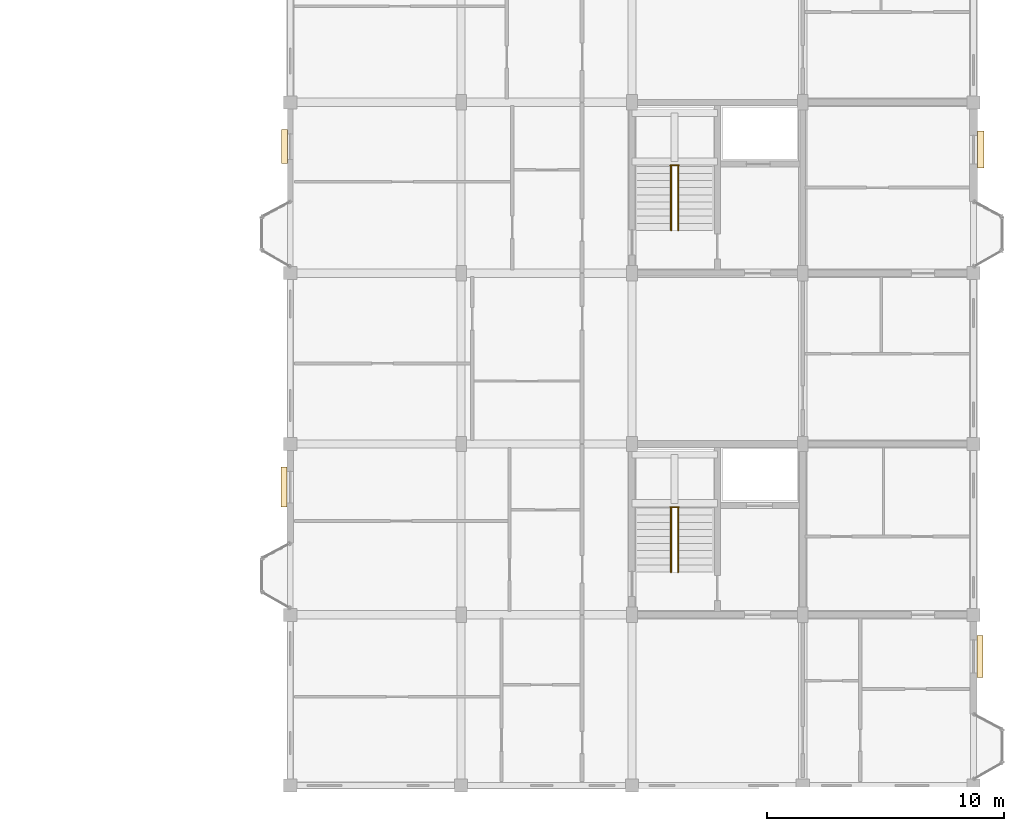
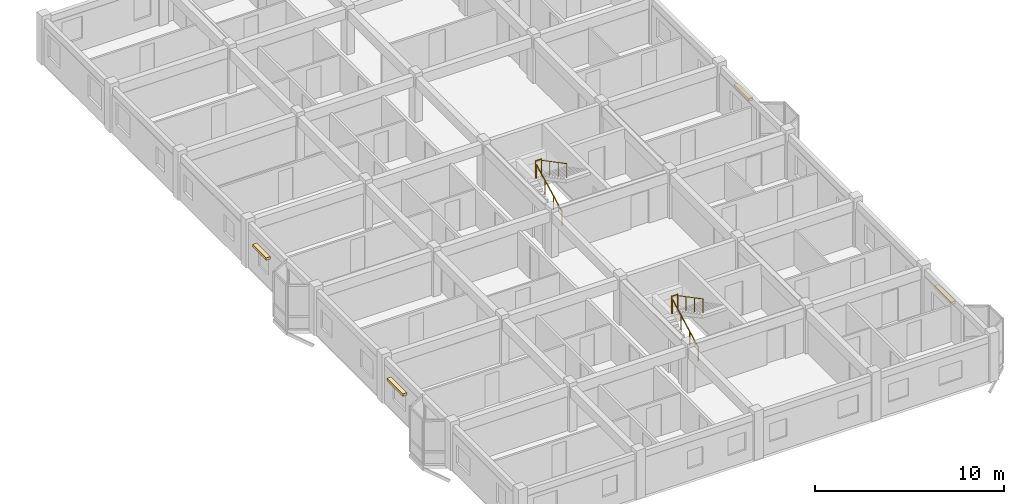
# One storey, part 76 of 77: 6 railings, 4 coverings.
"""IFC4 building model written with IfcOpenShell, lengths in metres."""

from ifc_helpers import new_model, si_unit, direction, frame, origin, origin_2d, place, context, subcontext, project, spatial, rectangle, circle, extrude, material, layer, layer_set, type_object, element, save


model = new_model("IFC4")

# Units and contexts
model_context = context("Model", 3, precision=1e-05, world=origin(), true_north=direction((0.0, 1.0)))
body_context = subcontext(model_context, "Body", "Model", "MODEL_VIEW")
ifc_project = project(units=[si_unit("LENGTHUNIT", "METRE"), si_unit("AREAUNIT", "SQUARE_METRE"), si_unit("VOLUMEUNIT", "CUBIC_METRE"), si_unit("PLANEANGLEUNIT", "RADIAN"), si_unit("MASSUNIT", "GRAM", prefix="KILO"), si_unit("THERMODYNAMICTEMPERATUREUNIT", "KELVIN"), si_unit("POWERUNIT", "WATT")], contexts=[model_context])

# Site, building, storey
site_placement = place(None, origin())
site = spatial("IfcSite", under=ifc_project, at=site_placement, CompositionType="ELEMENT")
building_placement = place(site_placement, origin())
building = spatial("IfcBuilding", under=site, at=building_placement, Name="Tavuni Mirador Residences", CompositionType="ELEMENT")
storey_placement = place(building_placement, frame((0.0, 0.0, 10.800048828125)))
storey = spatial("IfcBuildingStorey", under=building, at=storey_placement, Name="L03", CompositionType="ELEMENT", Elevation=10.800048828125)

# Coverings
ifc_material_1 = material(Name="Natural coral limestone", Category="masonry")
ifc_layer = layer(ifc_material_1, 0.054931640625, Name="Natural coral limestone", Category="masonry")
ifc_layer_set = layer_set([ifc_layer], Name="Natural coral limestone")
covering_type = type_object("IfcCoveringType", Name="CVT-CLAD-CORAL", PredefinedType="CLADDING", material=ifc_layer_set)
covering_1_placement = place(storey_placement, frame((119.072021484375, 91.847412109375, 1.9501953125), z_axis=(0.0, 0.0, 1.0), x_axis=(0.0, 1.0, 0.0)))
element("IfcCovering", 1, at=covering_1_placement, inside=storey, type_object=covering_type, Name="HOOD-0946", PredefinedType="CLADDING", context=body_context, shape_type="SweptSolid", body=[
    extrude(rectangle(XDim=1.760009765625, YDim=0.260009765625, at=origin_2d()), origin(), (0.0, 0.0, 1.0), 0.159912109375),
])
covering_2_placement = place(storey_placement, frame((119.099609375, 113.20751953125, 2.06005859375), z_axis=(0.0, 0.0, 1.0), x_axis=(0.0, 1.0, 0.0)))
element("IfcCovering", 2, at=covering_2_placement, inside=storey, type_object=covering_type, Name="HOOD-0947", PredefinedType="CLADDING", context=body_context, shape_type="SweptSolid", body=[
    extrude(rectangle(XDim=1.56005859375, YDim=0.260009765625, at=origin_2d()), origin(), (0.0, 0.0, 1.0), 0.159912109375),
])
covering_3_placement = place(storey_placement, frame((89.75048828125, 113.33251953125, 1.9501953125), z_axis=(0.0, 0.0, 1.0), x_axis=(0.0, -1.0, 0.0)))
element("IfcCovering", 3, at=covering_3_placement, inside=storey, type_object=covering_type, Name="HOOD-0948", PredefinedType="CLADDING", context=body_context, shape_type="SweptSolid", body=[
    extrude(rectangle(XDim=1.43994140625, YDim=0.260009765625, at=origin_2d()), origin(), (0.0, 0.0, 1.0), 0.159912109375),
])
covering_4_placement = place(storey_placement, frame((89.735595703125, 98.982421875, 1.9501953125), z_axis=(0.0, 0.0, 1.0), x_axis=(0.0, -1.0, 0.0)))
element("IfcCovering", 4, at=covering_4_placement, inside=storey, type_object=covering_type, Name="HOOD-0949", PredefinedType="CLADDING", context=body_context, shape_type="SweptSolid", body=[
    extrude(rectangle(XDim=1.679931640625, YDim=0.260009765625, at=origin_2d()), origin(), (0.0, 0.0, 1.0), 0.159912109375),
])

# Railings
ifc_material_2 = material(Name="Structural steel S355", Category="steel")
railing_type_1 = type_object("IfcRailingType", Name="RT-GR1120", PredefinedType="GUARDRAIL", material=ifc_material_2)
for number, where, name in (
    (5, (106.02001953125, 98.139892578125, 1.574951171875), "GRD-HL-ST7-L03"),
    (6, (106.02001953125, 112.5400390625, 1.574951171875), "GRD-HL-ST8-L03"),
):
    element("IfcRailing", number, at=place(storey_placement, frame(where)), inside=storey, type_object=railing_type_1, Name=name, PredefinedType="GUARDRAIL", context=body_context, shape_type="SweptSolid", body=[
        extrude(circle(Radius=0.02392578125, at=origin_2d()), frame((0.0, 0.0, 1.09619140625), z_axis=(1.0, 0.0, 0.0), x_axis=(0.0, 1.0, 0.0)), (0.0, 0.0, 1.0), 0.35986328125),
        extrude(circle(Radius=0.02099609375, at=origin_2d()), origin(), (0.0, 0.0, 1.0), 1.072021484375),
        extrude(circle(Radius=0.02099609375, at=origin_2d()), frame((0.35986328125, 0.0, 0.0)), (0.0, 0.0, 1.0), 1.072021484375),
    ])
railing_type_2 = type_object("IfcRailingType", Name="RT-HR920", PredefinedType="HANDRAIL", material=ifc_material_2)
railing_1_placement = place(storey_placement, frame((106.050048828125, 95.39990234375, 0.157470703125)))
element("IfcRailing", 7, at=railing_1_placement, inside=storey, type_object=railing_type_2, Name="HR-ST7-L03-F1", PredefinedType="HANDRAIL", context=body_context, shape_type="SweptSolid", body=[
    extrude(circle(Radius=0.02392578125, at=origin_2d()), frame((0.0, 0.0, 0.89599609375), z_axis=(0.0, 0.885414376231, 0.464802519747), x_axis=(-1.0, 0.0, 0.0)), (0.0, 0.0, 1.0), 3.049560546875),
    extrude(circle(Radius=0.02099609375, at=origin_2d()), origin(), (0.0, 0.0, 1.0), 0.871826171875),
    extrude(circle(Radius=0.02099609375, at=origin_2d()), frame((0.0, 0.900146484375, 0.472412109375)), (0.0, 0.0, 1.0), 0.871826171875),
    extrude(circle(Radius=0.02099609375, at=origin_2d()), frame((0.0, 1.800048828125, 0.945068359375)), (0.0, 0.0, 1.0), 0.871826171875),
    extrude(circle(Radius=0.02099609375, at=origin_2d()), frame((0.0, 2.7001953125, 1.41748046875)), (0.0, 0.0, 1.0), 0.871826171875),
])
railing_2_placement = place(storey_placement, frame((106.35009765625, 98.10009765625, 1.732421875)))
element("IfcRailing", 8, at=railing_2_placement, inside=storey, type_object=railing_type_2, Name="HR-ST7-L03-F2", PredefinedType="HANDRAIL", context=body_context, shape_type="SweptSolid", body=[
    extrude(circle(Radius=0.02392578125, at=origin_2d()), frame((0.0, 0.0, 0.89599609375), z_axis=(0.0, -0.885414376231, 0.464802519747), x_axis=(1.0, 0.0, 0.0)), (0.0, 0.0, 1.0), 3.049560546875),
    extrude(circle(Radius=0.02099609375, at=origin_2d()), origin(), (0.0, 0.0, 1.0), 0.871826171875),
    extrude(circle(Radius=0.02099609375, at=origin_2d()), frame((0.0, -0.900146484375, 0.472412109375)), (0.0, 0.0, 1.0), 0.871826171875),
    extrude(circle(Radius=0.02099609375, at=origin_2d()), frame((0.0, -1.800048828125, 0.945068359375)), (0.0, 0.0, 1.0), 0.871826171875),
    extrude(circle(Radius=0.02099609375, at=origin_2d()), frame((0.0, -2.7001953125, 1.41748046875)), (0.0, 0.0, 1.0), 0.871826171875),
])
railing_3_placement = place(storey_placement, frame((106.050048828125, 109.800048828125, 0.157470703125)))
element("IfcRailing", 9, at=railing_3_placement, inside=storey, type_object=railing_type_2, Name="HR-ST8-L03-F1", PredefinedType="HANDRAIL", context=body_context, shape_type="SweptSolid", body=[
    extrude(circle(Radius=0.02392578125, at=origin_2d()), frame((0.0, 0.0, 0.89599609375), z_axis=(0.0, 0.885397079081, 0.464835468048), x_axis=(-1.0, 0.0, 0.0)), (0.0, 0.0, 1.0), 3.04931640625),
    extrude(circle(Radius=0.02099609375, at=origin_2d()), origin(), (0.0, 0.0, 1.0), 0.871826171875),
    extrude(circle(Radius=0.02099609375, at=origin_2d()), frame((0.0, 0.89990234375, 0.472412109375)), (0.0, 0.0, 1.0), 0.871826171875),
    extrude(circle(Radius=0.02099609375, at=origin_2d()), frame((0.0, 1.800048828125, 0.945068359375)), (0.0, 0.0, 1.0), 0.871826171875),
    extrude(circle(Radius=0.02099609375, at=origin_2d()), frame((0.0, 2.699951171875, 1.41748046875)), (0.0, 0.0, 1.0), 0.871826171875),
])
railing_4_placement = place(storey_placement, frame((106.35009765625, 112.5, 1.732421875)))
element("IfcRailing", 10, at=railing_4_placement, inside=storey, type_object=railing_type_2, Name="HR-ST8-L03-F2", PredefinedType="HANDRAIL", context=body_context, shape_type="SweptSolid", body=[
    extrude(circle(Radius=0.02392578125, at=origin_2d()), frame((0.0, 0.0, 0.89599609375), z_axis=(0.0, -0.885397079081, 0.464835468048), x_axis=(1.0, 0.0, 0.0)), (0.0, 0.0, 1.0), 3.04931640625),
    extrude(circle(Radius=0.02099609375, at=origin_2d()), origin(), (0.0, 0.0, 1.0), 0.871826171875),
    extrude(circle(Radius=0.02099609375, at=origin_2d()), frame((0.0, -0.89990234375, 0.472412109375)), (0.0, 0.0, 1.0), 0.871826171875),
    extrude(circle(Radius=0.02099609375, at=origin_2d()), frame((0.0, -1.800048828125, 0.945068359375)), (0.0, 0.0, 1.0), 0.871826171875),
    extrude(circle(Radius=0.02099609375, at=origin_2d()), frame((0.0, -2.699951171875, 1.41748046875)), (0.0, 0.0, 1.0), 0.871826171875),
])

save(model, "model.ifc")
